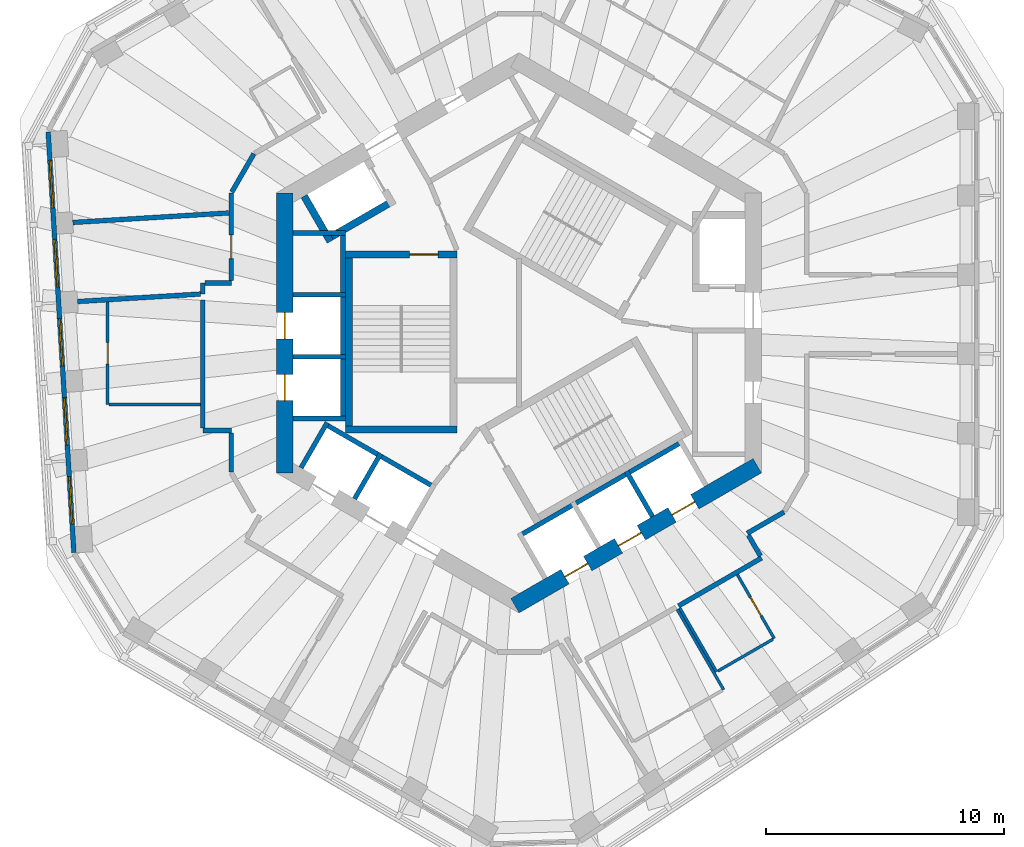
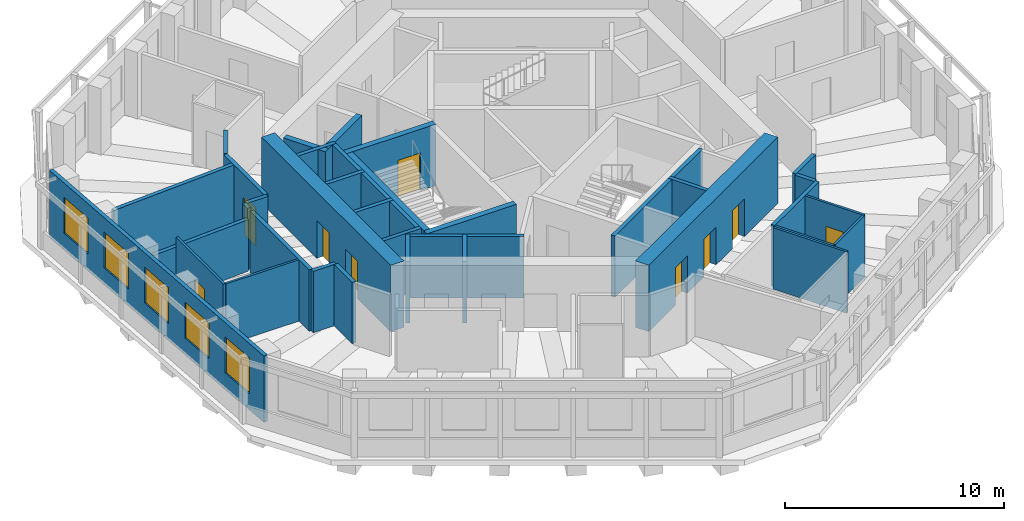
# One storey, part 5 of 11: 36 walls, 9 doors, 5 windows, 14 openings.
"""IFC4 building model written with IfcOpenShell, lengths in metres."""

from ifc_helpers import new_model, si_unit, direction, frame, frame_2d, origin, place, context, subcontext, project, spatial, rectangle, extrude, material, layer, layer_set, type_object, element, fill, save


model = new_model("IFC4")

# Units and contexts
model_context = context("Model", 3, precision=1e-05, world=origin(), true_north=direction((0.0, 1.0)))
body_context = subcontext(model_context, "Body", "Model", "MODEL_VIEW")
ifc_project = project(units=[si_unit("LENGTHUNIT", "METRE"), si_unit("AREAUNIT", "SQUARE_METRE"), si_unit("VOLUMEUNIT", "CUBIC_METRE"), si_unit("PLANEANGLEUNIT", "RADIAN"), si_unit("MASSUNIT", "GRAM", prefix="KILO")], contexts=[model_context])

# Site, building, storey
site_placement = place(None, origin())
site = spatial("IfcSite", under=ifc_project, at=site_placement, CompositionType="ELEMENT")
building_placement = place(site_placement, origin())
building = spatial("IfcBuilding", under=site, at=building_placement, Name="Vanh Sen Convention Tower", CompositionType="ELEMENT")
storey_placement = place(building_placement, frame((0.0, 0.0, 259.800048828125)))
storey = spatial("IfcBuildingStorey", under=building, at=storey_placement, Name="L64", CompositionType="ELEMENT", Elevation=259.800048828125)

# Wall, opening, door
ifc_material_1 = material(Name="Moisture-resistant gypsum board on steel studs", Category="steel")
ifc_layer_1 = layer(ifc_material_1, 0.1201171875)
ifc_layer_set_1 = layer_set([ifc_layer_1], Name="Moisture-resistant gypsum board on steel studs")
wall_type_1 = type_object("IfcWallType", Name="Bathroom partition 120", PredefinedType="PARTITIONING", material=ifc_layer_set_1)
wall_1_placement = place(storey_placement, frame((-17.301025390625, -3.0107421875, 0.0), z_axis=(0.0, 0.0, 1.0), x_axis=(0.0, 1.0, 0.0)))
wall_1 = element("IfcWall", 1, at=wall_1_placement, inside=storey, type_object=wall_type_1, Name="Bathroom partition 120", PredefinedType="PARTITIONING", context=body_context, shape_type="SweptSolid", body=[
    extrude(rectangle(XDim=4.300048828125, YDim=0.1201171875, at=frame_2d((2.14990234375, 0.0))), origin(), (0.0, 0.0, 1.0), 3.419921875),
])
opening_1_placement = place(wall_1_placement, frame((1.699951171875, 0.0, 0.0)))
opening_1 = element("IfcOpeningElement", 2, at=opening_1_placement, cuts=wall_1, Name="Opening D64111", PredefinedType="OPENING", context=body_context, shape_type="SweptSolid", body=[
    extrude(rectangle(XDim=0.89990234375, YDim=2.10009765625, at=frame_2d((0.449951171875, 1.050048828125))), frame((0.0, 0.070068359375, 0.0), z_axis=(0.0, -1.0, 0.0), x_axis=(1.0, 0.0, 0.0)), (0.0, 0.0, 1.0), 0.14013671875),
])
ifc_material_2 = material(Name="Laminate door in steel frame", Category="steel")
door_type_1 = type_object("IfcDoorType", Name="Room internal door 900", OperationType="SINGLE_SWING_LEFT", PredefinedType="DOOR", material=ifc_material_2)
door_1_placement = place(opening_1_placement, origin())
door_1 = element("IfcDoor", 3, at=door_1_placement, inside=storey, type_object=door_type_1, Name="Internal room door D64111", OperationType="SINGLE_SWING_LEFT", OverallHeight=2.10009765625, OverallWidth=0.89990234375, PredefinedType="DOOR", context=body_context, shape_type="SweptSolid", body=[
    extrude(rectangle(XDim=0.89990234375, YDim=2.10009765625, at=frame_2d((0.449951171875, 1.050048828125))), frame((0.0, 0.02490234375, 0.0), z_axis=(0.0, -1.0, 0.0), x_axis=(1.0, 0.0, 0.0)), (0.0, 0.0, 1.0), 0.050048828125),
])
fill(opening_1, door_1)

# Walls
wall_2_placement = place(storey_placement, frame((-13.40087890625, -3.0107421875, 0.0), z_axis=(0.0, 0.0, 1.0), x_axis=(-1.0, 0.0, 0.0)))
element("IfcWall", 4, at=wall_2_placement, inside=storey, type_object=wall_type_1, Name="Bathroom partition 120", PredefinedType="PARTITIONING", context=body_context, shape_type="SweptSolid", body=[
    extrude(rectangle(XDim=3.840087890625, YDim=0.1201171875, at=frame_2d((1.919921875, 0.0))), origin(), (0.0, 0.0, 1.0), 3.419921875),
])
wall_3_placement = place(storey_placement, frame((6.65625, -11.631103515625, 0.0), z_axis=(0.0, 0.0, 1.0), x_axis=(0.499997012787, -0.866027128446, 0.0)))
element("IfcWall", 5, at=wall_3_placement, inside=storey, type_object=wall_type_1, Name="Bathroom partition 120", PredefinedType="PARTITIONING", context=body_context, shape_type="SweptSolid", body=[
    extrude(rectangle(XDim=3.89990234375, YDim=0.1201171875, at=frame_2d((1.949951171875, 0.0))), origin(), (0.0, 0.0, 1.0), 3.419921875),
])
wall_4_placement = place(storey_placement, frame((8.310302734375, -14.255859375, 0.0), z_axis=(0.0, 0.0, 1.0), x_axis=(-0.49999285859, 0.86602952684, 0.0)))
element("IfcWall", 6, at=wall_4_placement, inside=storey, type_object=wall_type_1, Name="Bathroom partition 120", PredefinedType="PARTITIONING", context=body_context, shape_type="SweptSolid", body=[
    extrude(rectangle(XDim=3.10009765625, YDim=0.1201171875, at=frame_2d((1.550048828125, 0.0))), origin(), (0.0, 0.0, 1.0), 3.419921875),
])

# Wall, opening, door
wall_5_placement = place(storey_placement, frame((9.18505859375, -10.171142578125, 0.0), z_axis=(0.0, 0.0, 1.0), x_axis=(0.500026960575, -0.86600983753, 0.0)))
wall_5 = element("IfcWall", 7, at=wall_5_placement, inside=storey, type_object=wall_type_1, Name="Bathroom partition 120", PredefinedType="PARTITIONING", context=body_context, shape_type="SweptSolid", body=[
    extrude(rectangle(XDim=3.099853515625, YDim=0.1201171875, at=frame_2d((1.5498046875, 0.0))), origin(), (0.0, 0.0, 1.0), 3.419921875),
])
opening_2_placement = place(wall_5_placement, frame((1.10009765625, 0.0, 0.0)))
opening_2 = element("IfcOpeningElement", 8, at=opening_2_placement, cuts=wall_5, Name="Opening D64116", PredefinedType="OPENING", context=body_context, shape_type="SweptSolid", body=[
    extrude(rectangle(XDim=0.89990234375, YDim=2.10009765625, at=frame_2d((0.449951171875, 1.050048828125))), frame((0.0, 0.070068359375, 0.0), z_axis=(0.0, -1.0, 0.0), x_axis=(1.0, 0.0, 0.0)), (0.0, 0.0, 1.0), 0.14013671875),
])
door_2_placement = place(opening_2_placement, origin())
door_2 = element("IfcDoor", 9, at=door_2_placement, inside=storey, type_object=door_type_1, Name="Internal room door D64116", OperationType="SINGLE_SWING_LEFT", OverallHeight=2.10009765625, OverallWidth=0.89990234375, PredefinedType="DOOR", context=body_context, shape_type="SweptSolid", body=[
    extrude(rectangle(XDim=0.89990234375, YDim=2.10009765625, at=frame_2d((0.449951171875, 1.050048828125))), frame((0.0, 0.02490234375, 0.0), z_axis=(0.0, -1.0, 0.0), x_axis=(1.0, 0.0, 0.0)), (0.0, 0.0, 1.0), 0.050048828125),
])
fill(opening_2, door_2)

# Wall
wall_6_placement = place(storey_placement, frame((10.68310546875, -12.8857421875, 0.0), z_axis=(0.0, 0.0, 1.0), x_axis=(-0.86599746015, -0.500048396672, 0.0)))
element("IfcWall", 10, at=wall_6_placement, inside=storey, type_object=wall_type_1, Name="Bathroom partition 120", PredefinedType="PARTITIONING", context=body_context, shape_type="SweptSolid", body=[
    extrude(rectangle(XDim=2.679931640625, YDim=0.1201171875, at=frame_2d((1.33984375, 0.0))), origin(), (0.0, 0.0, 1.0), 3.419921875),
])

# Wall, openings, doors
ifc_material_3 = material(Name="Concrete C60/75", Category="concrete")
ifc_layer_2 = layer(ifc_material_3, 0.699951171875)
ifc_layer_set_2 = layer_set([ifc_layer_2], Name="Concrete C60/75")
wall_type_2 = type_object("IfcWallType", Name="Core outer wall 700 C60/75", PredefinedType="SHEAR", material=ifc_layer_set_2)
wall_7_placement = place(storey_placement, frame((-9.85009765625, 5.888916015625, 0.0), z_axis=(0.0, 0.0, 1.0), x_axis=(0.0, -1.0, 0.0)))
wall_7 = element("IfcWall", 11, at=wall_7_placement, inside=storey, type_object=wall_type_2, Name="Core wall face W L64", PredefinedType="SHEAR", context=body_context, shape_type="SweptSolid", body=[
    extrude(rectangle(XDim=11.77783203125, YDim=0.699951171875, at=frame_2d((5.888916015625, 0.0))), origin(), (0.0, 0.0, 1.0), 3.699951171875),
])
opening_3_placement = place(wall_7_placement, frame((5.0390625, 0.0, 0.0)))
opening_3 = element("IfcOpeningElement", 12, at=opening_3_placement, cuts=wall_7, Name="Opening LD-HR1", PredefinedType="OPENING", context=body_context, shape_type="SweptSolid", body=[
    extrude(rectangle(XDim=1.10009765625, YDim=2.10009765625, at=frame_2d((0.550048828125, 1.050048828125))), frame((0.0, 0.35986328125, 0.0), z_axis=(0.0, -1.0, 0.0), x_axis=(1.0, 0.0, 0.0)), (0.0, 0.0, 1.0), 0.719970703125),
])
opening_4_placement = place(wall_7_placement, frame((7.638916015625, 0.0, 0.0)))
opening_4 = element("IfcOpeningElement", 13, at=opening_4_placement, cuts=wall_7, Name="Opening LD-HR2", PredefinedType="OPENING", context=body_context, shape_type="SweptSolid", body=[
    extrude(rectangle(XDim=1.10009765625, YDim=2.10009765625, at=frame_2d((0.550048828125, 1.050048828125))), frame((0.0, 0.35986328125, 0.0), z_axis=(0.0, -1.0, 0.0), x_axis=(1.0, 0.0, 0.0)), (0.0, 0.0, 1.0), 0.719970703125),
])
ifc_material_4 = material(Name="Stainless steel", Category="steel")
door_type_2 = type_object("IfcDoorType", Name="Lift landing door 1100", OperationType="DOUBLE_DOOR_SLIDING", PredefinedType="DOOR", material=ifc_material_4)
door_3_placement = place(opening_3_placement, origin())
door_3 = element("IfcDoor", 14, at=door_3_placement, inside=storey, type_object=door_type_2, Name="Lift HR1 landing door LD-HR1", OperationType="DOUBLE_DOOR_SLIDING", OverallHeight=2.10009765625, OverallWidth=1.10009765625, PredefinedType="DOOR", context=body_context, shape_type="SweptSolid", body=[
    extrude(rectangle(XDim=1.10009765625, YDim=2.10009765625, at=frame_2d((0.550048828125, 1.050048828125))), frame((0.0, 0.02490234375, 0.0), z_axis=(0.0, -1.0, 0.0), x_axis=(1.0, 0.0, 0.0)), (0.0, 0.0, 1.0), 0.050048828125),
])
fill(opening_3, door_3)
door_4_placement = place(opening_4_placement, origin())
door_4 = element("IfcDoor", 15, at=door_4_placement, inside=storey, type_object=door_type_2, Name="Lift HR2 landing door LD-HR2", OperationType="DOUBLE_DOOR_SLIDING", OverallHeight=2.10009765625, OverallWidth=1.10009765625, PredefinedType="DOOR", context=body_context, shape_type="SweptSolid", body=[
    extrude(rectangle(XDim=1.10009765625, YDim=2.10009765625, at=frame_2d((0.550048828125, 1.050048828125))), frame((0.0, 0.02490234375, 0.0), z_axis=(0.0, -1.0, 0.0), x_axis=(1.0, 0.0, 0.0)), (0.0, 0.0, 1.0), 0.050048828125),
])
fill(opening_4, door_4)

wall_8_placement = place(storey_placement, frame((-0.175048828125, -11.474853515625, 0.0), z_axis=(0.0, 0.0, 1.0), x_axis=(0.866026453023, 0.499998182661, 0.0)))
wall_8 = element("IfcWall", 16, at=wall_8_placement, inside=storey, type_object=wall_type_2, Name="Core wall face SE L64", PredefinedType="SHEAR", context=body_context, shape_type="SweptSolid", body=[
    extrude(rectangle(XDim=11.77783203125, YDim=0.699951171875, at=frame_2d((5.888916015625, 0.0))), origin(), (0.0, 0.0, 1.0), 3.699951171875),
])
opening_5_placement = place(wall_8_placement, frame((2.43896484375, 0.0, 0.0)))
opening_5 = element("IfcOpeningElement", 17, at=opening_5_placement, cuts=wall_8, Name="Opening LD-HR5", PredefinedType="OPENING", context=body_context, shape_type="SweptSolid", body=[
    extrude(rectangle(XDim=1.10009765625, YDim=2.10009765625, at=frame_2d((0.550048828125, 1.050048828125))), frame((0.0, 0.35986328125, 0.0), z_axis=(0.0, -1.0, 0.0), x_axis=(1.0, 0.0, 0.0)), (0.0, 0.0, 1.0), 0.719970703125),
])
opening_6_placement = place(wall_8_placement, frame((5.0390625, 0.0, 0.0)))
opening_6 = element("IfcOpeningElement", 18, at=opening_6_placement, cuts=wall_8, Name="Opening LD-HR6", PredefinedType="OPENING", context=body_context, shape_type="SweptSolid", body=[
    extrude(rectangle(XDim=1.10009765625, YDim=2.10009765625, at=frame_2d((0.550048828125, 1.050048828125))), frame((0.0, 0.35986328125, 0.0), z_axis=(0.0, -1.0, 0.0), x_axis=(1.0, 0.0, 0.0)), (0.0, 0.0, 1.0), 0.719970703125),
])
opening_7_placement = place(wall_8_placement, frame((7.638916015625, 0.0, 0.0)))
opening_7 = element("IfcOpeningElement", 19, at=opening_7_placement, cuts=wall_8, Name="Opening LD-SV1", PredefinedType="OPENING", context=body_context, shape_type="SweptSolid", body=[
    extrude(rectangle(XDim=1.10009765625, YDim=2.10009765625, at=frame_2d((0.550048828125, 1.050048828125))), frame((0.0, 0.35986328125, 0.0), z_axis=(0.0, -1.0, 0.0), x_axis=(1.0, 0.0, 0.0)), (0.0, 0.0, 1.0), 0.719970703125),
])
door_5_placement = place(opening_5_placement, origin())
door_5 = element("IfcDoor", 20, at=door_5_placement, inside=storey, type_object=door_type_2, Name="Lift HR5 landing door LD-HR5", OperationType="DOUBLE_DOOR_SLIDING", OverallHeight=2.10009765625, OverallWidth=1.10009765625, PredefinedType="DOOR", context=body_context, shape_type="SweptSolid", body=[
    extrude(rectangle(XDim=1.10009765625, YDim=2.10009765625, at=frame_2d((0.550048828125, 1.050048828125))), frame((0.0, 0.02490234375, 0.0), z_axis=(0.0, -1.0, 0.0), x_axis=(1.0, 0.0, 0.0)), (0.0, 0.0, 1.0), 0.050048828125),
])
fill(opening_5, door_5)
door_6_placement = place(opening_6_placement, origin())
door_6 = element("IfcDoor", 21, at=door_6_placement, inside=storey, type_object=door_type_2, Name="Lift HR6 landing door LD-HR6", OperationType="DOUBLE_DOOR_SLIDING", OverallHeight=2.10009765625, OverallWidth=1.10009765625, PredefinedType="DOOR", context=body_context, shape_type="SweptSolid", body=[
    extrude(rectangle(XDim=1.10009765625, YDim=2.10009765625, at=frame_2d((0.550048828125, 1.050048828125))), frame((0.0, 0.02490234375, 0.0), z_axis=(0.0, -1.0, 0.0), x_axis=(1.0, 0.0, 0.0)), (0.0, 0.0, 1.0), 0.050048828125),
])
fill(opening_6, door_6)
door_7_placement = place(opening_7_placement, origin())
door_7 = element("IfcDoor", 22, at=door_7_placement, inside=storey, type_object=door_type_2, Name="Lift SV1 landing door LD-SV1", OperationType="DOUBLE_DOOR_SLIDING", OverallHeight=2.10009765625, OverallWidth=1.10009765625, PredefinedType="DOOR", context=body_context, shape_type="SweptSolid", body=[
    extrude(rectangle(XDim=1.10009765625, YDim=2.10009765625, at=frame_2d((0.550048828125, 1.050048828125))), frame((0.0, 0.02490234375, 0.0), z_axis=(0.0, -1.0, 0.0), x_axis=(1.0, 0.0, 0.0)), (0.0, 0.0, 1.0), 0.050048828125),
])
fill(opening_7, door_7)

# Walls
ifc_material_5 = material(Name="Gypsum board on steel studs with mineral wool", Category="steel")
ifc_layer_3 = layer(ifc_material_5, 0.199951171875)
ifc_layer_set_3 = layer_set([ifc_layer_3], Name="Gypsum board on steel studs with mineral wool")
wall_type_3 = type_object("IfcWallType", Name="Corridor partition wall 200", PredefinedType="PARTITIONING", material=ifc_layer_set_3)
wall_9_placement = place(storey_placement, frame((-13.301025390625, -4.10107421875, 0.0), z_axis=(0.0, 0.0, 1.0), x_axis=(1.0, 0.0, 0.0)))
element("IfcWall", 23, at=wall_9_placement, inside=storey, type_object=wall_type_3, Name="Corridor partition wall 200", PredefinedType="PARTITIONING", context=body_context, shape_type="SweptSolid", body=[
    extrude(rectangle(XDim=1.200927734375, YDim=0.199951171875, at=frame_2d((0.6005859375, 0.0))), origin(), (0.0, 0.0, 1.0), 3.419921875),
])
wall_10_placement = place(storey_placement, frame((-13.301025390625, 1.38916015625, 0.0), z_axis=(0.0, 0.0, 1.0), x_axis=(0.0, -1.0, 0.0)))
element("IfcWall", 24, at=wall_10_placement, inside=storey, type_object=wall_type_3, Name="Corridor partition wall 200", PredefinedType="PARTITIONING", context=body_context, shape_type="SweptSolid", body=[
    extrude(rectangle(XDim=5.39013671875, YDim=0.199951171875, at=frame_2d((2.695068359375, 0.0))), origin(), (0.0, 0.0, 1.0), 3.419921875),
])
wall_11_placement = place(storey_placement, frame((-13.301025390625, 2.10107421875, 0.0), z_axis=(0.0, 0.0, 1.0), x_axis=(0.0, -1.0, 0.0)))
element("IfcWall", 25, at=wall_11_placement, inside=storey, type_object=wall_type_3, Name="Corridor partition wall 200", PredefinedType="PARTITIONING", context=body_context, shape_type="SweptSolid", body=[
    extrude(rectangle(XDim=0.4619140625, YDim=0.199951171875, at=frame_2d((0.23095703125, 0.0))), origin(), (0.0, 0.0, 1.0), 3.419921875),
])
wall_12_placement = place(storey_placement, frame((-12.10009765625, -4.200927734375, 0.0), z_axis=(0.0, 0.0, 1.0), x_axis=(0.0, -1.0, 0.0)))
element("IfcWall", 26, at=wall_12_placement, inside=storey, type_object=wall_type_3, Name="Corridor partition wall 200", PredefinedType="PARTITIONING", context=body_context, shape_type="SweptSolid", body=[
    extrude(rectangle(XDim=1.648193359375, YDim=0.199951171875, at=frame_2d((0.82421875, 0.0))), origin(), (0.0, 0.0, 1.0), 3.419921875),
])
wall_13_placement = place(storey_placement, frame((-12.10009765625, 2.10107421875, 0.0), z_axis=(0.0, 0.0, 1.0), x_axis=(-1.0, 0.0, 0.0)))
element("IfcWall", 27, at=wall_13_placement, inside=storey, type_object=wall_type_3, Name="Corridor partition wall 200", PredefinedType="PARTITIONING", context=body_context, shape_type="SweptSolid", body=[
    extrude(rectangle(XDim=1.100830078125, YDim=0.199951171875, at=frame_2d((0.55029296875, 0.0))), origin(), (0.0, 0.0, 1.0), 3.419921875),
])

# Wall, opening, door
wall_14_placement = place(storey_placement, frame((-12.10009765625, 5.888916015625, 0.0), z_axis=(0.0, 0.0, 1.0), x_axis=(0.0, -1.0, 0.0)))
wall_14 = element("IfcWall", 28, at=wall_14_placement, inside=storey, type_object=wall_type_3, Name="Corridor partition wall 200", PredefinedType="PARTITIONING", context=body_context, shape_type="SweptSolid", body=[
    extrude(rectangle(XDim=3.68798828125, YDim=0.199951171875, at=frame_2d((1.843994140625, 0.0))), origin(), (0.0, 0.0, 1.0), 3.419921875),
])
opening_8_placement = place(wall_14_placement, frame((1.76318359375, 0.0, 0.0)))
opening_8 = element("IfcOpeningElement", 29, at=opening_8_placement, cuts=wall_14, Name="Opening D64109", PredefinedType="OPENING", context=body_context, shape_type="SweptSolid", body=[
    extrude(rectangle(XDim=1.0, YDim=2.10009765625, at=frame_2d((0.5, 1.050048828125))), frame((0.0, 0.10986328125, 0.0), z_axis=(0.0, -1.0, 0.0), x_axis=(1.0, 0.0, 0.0)), (0.0, 0.0, 1.0), 0.219970703125),
])
ifc_material_6 = material(Name="Glazed fire door in steel frame", Category="steel")
door_type_3 = type_object("IfcDoorType", Name="Tenant entrance door 1000", OperationType="SINGLE_SWING_LEFT", PredefinedType="DOOR", material=ifc_material_6)
door_8_placement = place(opening_8_placement, origin())
door_8 = element("IfcDoor", 30, at=door_8_placement, inside=storey, type_object=door_type_3, Name="Tenant suite entrance door D64109", OperationType="SINGLE_SWING_LEFT", OverallHeight=2.10009765625, OverallWidth=1.0, PredefinedType="DOOR", context=body_context, shape_type="SweptSolid", body=[
    extrude(rectangle(XDim=1.0, YDim=2.10009765625, at=frame_2d((0.5, 1.050048828125))), frame((0.0, 0.02490234375, 0.0), z_axis=(0.0, -1.0, 0.0), x_axis=(1.0, 0.0, 0.0)), (0.0, 0.0, 1.0), 0.050048828125),
])
fill(opening_8, door_8)

# Walls
wall_15_placement = place(storey_placement, frame((-11.14990234375, 7.534423828125, 0.0), z_axis=(0.0, 0.0, 1.0), x_axis=(-0.500063286585, -0.865988862174, 0.0)))
element("IfcWall", 31, at=wall_15_placement, inside=storey, type_object=wall_type_3, Name="Corridor partition wall 200", PredefinedType="PARTITIONING", context=body_context, shape_type="SweptSolid", body=[
    extrude(rectangle(XDim=1.860107421875, YDim=0.199951171875, at=frame_2d((0.93017578125, 0.0))), origin(), (0.0, 0.0, 1.0), 3.419921875),
])
wall_16_placement = place(storey_placement, frame((6.710205078125, -11.484619140625, 0.0), z_axis=(0.0, 0.0, 1.0), x_axis=(0.866021232452, 0.500007224889, 0.0)))
element("IfcWall", 32, at=wall_16_placement, inside=storey, type_object=wall_type_3, Name="Corridor partition wall 200", PredefinedType="PARTITIONING", context=body_context, shape_type="SweptSolid", body=[
    extrude(rectangle(XDim=4.0322265625, YDim=0.199951171875, at=frame_2d((2.01611328125, 0.0))), origin(), (0.0, 0.0, 1.0), 3.419921875),
])
wall_17_placement = place(storey_placement, frame((9.6015625, -8.428466796875, 0.0), z_axis=(0.0, 0.0, 1.0), x_axis=(0.865999114786, 0.500045531117, 0.0)))
element("IfcWall", 33, at=wall_17_placement, inside=storey, type_object=wall_type_3, Name="Corridor partition wall 200", PredefinedType="PARTITIONING", context=body_context, shape_type="SweptSolid", body=[
    extrude(rectangle(XDim=1.787841796875, YDim=0.199951171875, at=frame_2d((0.89404296875, 0.0))), origin(), (0.0, 0.0, 1.0), 3.419921875),
])
wall_18_placement = place(storey_placement, frame((10.152099609375, -9.3818359375, 0.0), z_axis=(0.0, 0.0, 1.0), x_axis=(-0.499968756647, 0.866043441391, 0.0)))
element("IfcWall", 34, at=wall_18_placement, inside=storey, type_object=wall_type_3, Name="Corridor partition wall 200", PredefinedType="PARTITIONING", context=body_context, shape_type="SweptSolid", body=[
    extrude(rectangle(XDim=1.0009765625, YDim=0.199951171875, at=frame_2d((0.50048828125, 0.0))), origin(), (0.0, 0.0, 1.0), 3.419921875),
])

# Wall, openings, windows
ifc_material_7 = material(Name="Insulated lightweight infill wall")
ifc_layer_4 = layer(ifc_material_7, 0.199951171875)
ifc_layer_set_4 = layer_set([ifc_layer_4], Name="Insulated lightweight infill wall")
wall_type_4 = type_object("IfcWallType", Name="External wall 200", PredefinedType="STANDARD", material=ifc_layer_set_4)
wall_19_placement = place(storey_placement, frame((-19.802978515625, 8.4541015625, 0.0), z_axis=(0.0, 0.0, 1.0), x_axis=(0.061036717565, -0.998135521414, 0.0)))
wall_19 = element("IfcWall", 35, at=wall_19_placement, inside=storey, type_object=wall_type_4, Name="External wall W L64", PredefinedType="STANDARD", context=body_context, shape_type="SweptSolid", body=[
    extrude(rectangle(XDim=17.7314453125, YDim=0.199951171875, at=frame_2d((8.86572265625, 0.0))), origin(), (0.0, 0.0, 1.0), 3.699951171875),
])
opening_9_placement = place(wall_19_placement, frame((1.20166015625, 0.0, 0.89990234375)))
opening_9 = element("IfcOpeningElement", 36, at=opening_9_placement, cuts=wall_19, Name="Opening WO5-W1", PredefinedType="OPENING", context=body_context, shape_type="SweptSolid", body=[
    extrude(rectangle(XDim=2.0, YDim=2.0, at=frame_2d((1.0, 1.0))), frame((0.0, 0.10986328125, 0.0), z_axis=(0.0, -1.0, 0.0), x_axis=(1.0, 0.0, 0.0)), (0.0, 0.0, 1.0), 0.219970703125),
])
opening_10_placement = place(wall_19_placement, frame((4.533203125, 0.0, 0.89990234375)))
opening_10 = element("IfcOpeningElement", 37, at=opening_10_placement, cuts=wall_19, Name="Opening WO5-W2", PredefinedType="OPENING", context=body_context, shape_type="SweptSolid", body=[
    extrude(rectangle(XDim=2.0, YDim=2.0, at=frame_2d((1.0, 1.0))), frame((0.0, 0.10986328125, 0.0), z_axis=(0.0, -1.0, 0.0), x_axis=(1.0, 0.0, 0.0)), (0.0, 0.0, 1.0), 0.219970703125),
])
opening_11_placement = place(wall_19_placement, frame((7.864990234375, 0.0, 0.89990234375)))
opening_11 = element("IfcOpeningElement", 38, at=opening_11_placement, cuts=wall_19, Name="Opening WO5-W3", PredefinedType="OPENING", context=body_context, shape_type="SweptSolid", body=[
    extrude(rectangle(XDim=2.0, YDim=2.0, at=frame_2d((1.0, 1.0))), frame((0.0, 0.10986328125, 0.0), z_axis=(0.0, -1.0, 0.0), x_axis=(1.0, 0.0, 0.0)), (0.0, 0.0, 1.0), 0.219970703125),
])
opening_12_placement = place(wall_19_placement, frame((11.196533203125, 0.0, 0.89990234375)))
opening_12 = element("IfcOpeningElement", 39, at=opening_12_placement, cuts=wall_19, Name="Opening WO5-W4", PredefinedType="OPENING", context=body_context, shape_type="SweptSolid", body=[
    extrude(rectangle(XDim=2.0, YDim=2.0, at=frame_2d((1.0, 1.0))), frame((0.0, 0.10986328125, 0.0), z_axis=(0.0, -1.0, 0.0), x_axis=(1.0, 0.0, 0.0)), (0.0, 0.0, 1.0), 0.219970703125),
])
opening_13_placement = place(wall_19_placement, frame((14.5283203125, 0.0, 0.89990234375)))
opening_13 = element("IfcOpeningElement", 40, at=opening_13_placement, cuts=wall_19, Name="Opening WO5-W5", PredefinedType="OPENING", context=body_context, shape_type="SweptSolid", body=[
    extrude(rectangle(XDim=2.0, YDim=2.0, at=frame_2d((1.0, 1.0))), frame((0.0, 0.10986328125, 0.0), z_axis=(0.0, -1.0, 0.0), x_axis=(1.0, 0.0, 0.0)), (0.0, 0.0, 1.0), 0.219970703125),
])
ifc_material_8 = material(Name="Aluminium frame with clear low-emissivity glass", Category="aluminium")
window_type = type_object("IfcWindowType", Name="Office window 2000 x 2000", PartitioningType="SINGLE_PANEL", PredefinedType="WINDOW", material=ifc_material_8)
window_1_placement = place(opening_9_placement, origin())
window_1 = element("IfcWindow", 41, at=window_1_placement, inside=storey, type_object=window_type, Name="Window WO5-W1", OverallHeight=2.0, OverallWidth=2.0, PartitioningType="SINGLE_PANEL", PredefinedType="WINDOW", context=body_context, shape_type="SweptSolid", body=[
    extrude(rectangle(XDim=2.0, YDim=2.0, at=frame_2d((1.0, 1.0))), frame((0.0, 0.030029296875, 0.0), z_axis=(0.0, -1.0, 0.0), x_axis=(1.0, 0.0, 0.0)), (0.0, 0.0, 1.0), 0.06005859375),
])
fill(opening_9, window_1)
window_2_placement = place(opening_10_placement, origin())
window_2 = element("IfcWindow", 42, at=window_2_placement, inside=storey, type_object=window_type, Name="Window WO5-W2", OverallHeight=2.0, OverallWidth=2.0, PartitioningType="SINGLE_PANEL", PredefinedType="WINDOW", context=body_context, shape_type="SweptSolid", body=[
    extrude(rectangle(XDim=2.0, YDim=2.0, at=frame_2d((1.0, 1.0))), frame((0.0, 0.030029296875, 0.0), z_axis=(0.0, -1.0, 0.0), x_axis=(1.0, 0.0, 0.0)), (0.0, 0.0, 1.0), 0.06005859375),
])
fill(opening_10, window_2)
window_3_placement = place(opening_11_placement, origin())
window_3 = element("IfcWindow", 43, at=window_3_placement, inside=storey, type_object=window_type, Name="Window WO5-W3", OverallHeight=2.0, OverallWidth=2.0, PartitioningType="SINGLE_PANEL", PredefinedType="WINDOW", context=body_context, shape_type="SweptSolid", body=[
    extrude(rectangle(XDim=2.0, YDim=2.0, at=frame_2d((1.0, 1.0))), frame((0.0, 0.030029296875, 0.0), z_axis=(0.0, -1.0, 0.0), x_axis=(1.0, 0.0, 0.0)), (0.0, 0.0, 1.0), 0.06005859375),
])
fill(opening_11, window_3)
window_4_placement = place(opening_12_placement, origin())
window_4 = element("IfcWindow", 44, at=window_4_placement, inside=storey, type_object=window_type, Name="Window WO5-W4", OverallHeight=2.0, OverallWidth=2.0, PartitioningType="SINGLE_PANEL", PredefinedType="WINDOW", context=body_context, shape_type="SweptSolid", body=[
    extrude(rectangle(XDim=2.0, YDim=2.0, at=frame_2d((1.0, 1.0))), frame((0.0, 0.030029296875, 0.0), z_axis=(0.0, -1.0, 0.0), x_axis=(1.0, 0.0, 0.0)), (0.0, 0.0, 1.0), 0.06005859375),
])
fill(opening_12, window_4)
window_5_placement = place(opening_13_placement, origin())
window_5 = element("IfcWindow", 45, at=window_5_placement, inside=storey, type_object=window_type, Name="Window WO5-W5", OverallHeight=2.0, OverallWidth=2.0, PartitioningType="SINGLE_PANEL", PredefinedType="WINDOW", context=body_context, shape_type="SweptSolid", body=[
    extrude(rectangle(XDim=2.0, YDim=2.0, at=frame_2d((1.0, 1.0))), frame((0.0, 0.030029296875, 0.0), z_axis=(0.0, -1.0, 0.0), x_axis=(1.0, 0.0, 0.0)), (0.0, 0.0, 1.0), 0.06005859375),
])
fill(opening_13, window_5)

# Walls
ifc_layer_5 = layer(ifc_material_3, 0.300048828125)
ifc_layer_set_5 = layer_set([ifc_layer_5], Name="Concrete C60/75")
wall_type_5 = type_object("IfcWallType", Name="Fire-fighting lift shaft wall 300", PredefinedType="SHEAR", material=ifc_layer_set_5)
wall_20_placement = place(storey_placement, frame((-5.240478515625, 5.576904296875, 0.0), z_axis=(0.0, 0.0, 1.0), x_axis=(-0.866014461049, -0.500018952895, 0.0)))
element("IfcWall", 46, at=wall_20_placement, inside=storey, type_object=wall_type_5, Name="Fire-fighting lift shaft wall L64", PredefinedType="SHEAR", context=body_context, shape_type="SweptSolid", body=[
    extrude(rectangle(XDim=3.349853515625, YDim=0.300048828125, at=frame_2d((1.6748046875, 0.0))), origin(), (0.0, 0.0, 1.0), 3.419921875),
])
wall_21_placement = place(storey_placement, frame((-7.936767578125, 3.846923828125, 0.0), z_axis=(0.0, 0.0, 1.0), x_axis=(-0.50002983664, 0.866008176907, 0.0)))
element("IfcWall", 47, at=wall_21_placement, inside=storey, type_object=wall_type_5, Name="Fire-fighting lift shaft wall L64", PredefinedType="SHEAR", context=body_context, shape_type="SweptSolid", body=[
    extrude(rectangle(XDim=2.199951171875, YDim=0.300048828125, at=frame_2d((1.10009765625, 0.0))), origin(), (0.0, 0.0, 1.0), 3.419921875),
])
ifc_material_9 = material(Name="Concrete C40/50", Category="concrete")
ifc_layer_6 = layer(ifc_material_9, 0.199951171875)
ifc_layer_set_6 = layer_set([ifc_layer_6], Name="Concrete C40/50")
wall_type_6 = type_object("IfcWallType", Name="Lift shaft wall 200", PredefinedType="PARTITIONING", material=ifc_layer_set_6)
wall_22_placement = place(storey_placement, frame((-7.39990234375, 4.300048828125, 0.0), z_axis=(0.0, 0.0, 1.0), x_axis=(0.0, -1.0, 0.0)))
element("IfcWall", 48, at=wall_22_placement, inside=storey, type_object=wall_type_6, Name="Lift shaft wall L64", PredefinedType="PARTITIONING", context=body_context, shape_type="SweptSolid", body=[
    extrude(rectangle(XDim=8.0, YDim=0.199951171875, at=frame_2d((4.0, 0.0))), origin(), (0.0, 0.0, 1.0), 3.419921875),
])
for number, where, z_axis, x_axis, name in (
    (49, (-7.300048828125, 4.199951171875, 0.0), (0.0, 0.0, 1.0), (-1.0, 0.0, 0.0), "Lift shaft wall L64"),
    (50, (-7.300048828125, 1.60009765625, 0.0), (0.0, 0.0, 1.0), (-1.0, 0.0, 0.0), "Lift shaft wall L64"),
    (51, (-7.300048828125, -1.0, 0.0), (0.0, 0.0, 1.0), (-1.0, 0.0, 0.0), "Lift shaft wall L64"),
    (52, (-7.300048828125, -3.60009765625, 0.0), (0.0, 0.0, 1.0), (-1.0, 0.0, 0.0), "Lift shaft wall L64"),
):
    element("IfcWall", number, at=place(storey_placement, frame(where, z_axis=z_axis, x_axis=x_axis)), inside=storey, type_object=wall_type_6, Name=name, PredefinedType="PARTITIONING", context=body_context, shape_type="SweptSolid", body=[
        extrude(rectangle(XDim=2.199951171875, YDim=0.199951171875, at=frame_2d((1.10009765625, 0.0))), origin(), (0.0, 0.0, 1.0), 3.419921875),
    ])
wall_23_placement = place(storey_placement, frame((-8.203369140625, -3.80859375, 0.0), z_axis=(0.0, 0.0, 1.0), x_axis=(0.866028230842, -0.499995103361, 0.0)))
element("IfcWall", 53, at=wall_23_placement, inside=storey, type_object=wall_type_6, Name="Lift shaft wall L64", PredefinedType="PARTITIONING", context=body_context, shape_type="SweptSolid", body=[
    extrude(rectangle(XDim=5.39990234375, YDim=0.199951171875, at=frame_2d((2.699951171875, 0.0))), origin(), (0.0, 0.0, 1.0), 3.419921875),
])
for number, where, z_axis, x_axis, name in (
    (54, (-8.066650390625, -3.77197265625, 0.0), (0.0, 0.0, 1.0), (-0.50002983664, -0.866008176907, 0.0), "Lift shaft wall L64"),
    (55, (-5.815185546875, -5.072021484375, 0.0), (0.0, 0.0, 1.0), (-0.499946605688, -0.86605622881, 0.0), "Lift shaft wall L64"),
):
    element("IfcWall", number, at=place(storey_placement, frame(where, z_axis=z_axis, x_axis=x_axis)), inside=storey, type_object=wall_type_6, Name=name, PredefinedType="PARTITIONING", context=body_context, shape_type="SweptSolid", body=[
        extrude(rectangle(XDim=2.199951171875, YDim=0.199951171875, at=frame_2d((1.10009765625, 0.0))), origin(), (0.0, 0.0, 1.0), 3.419921875),
    ])
wall_24_placement = place(storey_placement, frame((-0.02392578125, -8.55859375, 0.0), z_axis=(0.0, 0.0, 1.0), x_axis=(0.866026010844, 0.49999894854, 0.0)))
element("IfcWall", 56, at=wall_24_placement, inside=storey, type_object=wall_type_6, Name="Lift shaft wall L64", PredefinedType="PARTITIONING", context=body_context, shape_type="SweptSolid", body=[
    extrude(rectangle(XDim=8.0, YDim=0.199951171875, at=frame_2d((4.0, 0.0))), origin(), (0.0, 0.0, 1.0), 3.419921875),
])
wall_25_placement = place(storey_placement, frame((4.51611328125, -5.822021484375, 0.0), z_axis=(0.0, 0.0, 1.0), x_axis=(0.499946605688, -0.86605622881, 0.0)))
element("IfcWall", 57, at=wall_25_placement, inside=storey, type_object=wall_type_6, Name="Lift shaft wall L64", PredefinedType="PARTITIONING", context=body_context, shape_type="SweptSolid", body=[
    extrude(rectangle(XDim=2.199951171875, YDim=0.199951171875, at=frame_2d((1.10009765625, 0.0))), origin(), (0.0, 0.0, 1.0), 3.419921875),
])

# Wall, opening, door
ifc_layer_7 = layer(ifc_material_3, 0.300048828125)
ifc_layer_set_7 = layer_set([ifc_layer_7], Name="Concrete C60/75")
wall_type_7 = type_object("IfcWallType", Name="Stair wall 300", PredefinedType="SHEAR", material=ifc_layer_set_7)
wall_26_placement = place(storey_placement, frame((-2.60009765625, 3.300048828125, 0.0), z_axis=(0.0, 0.0, 1.0), x_axis=(-1.0, 0.0, 0.0)))
wall_26 = element("IfcWall", 58, at=wall_26_placement, inside=storey, type_object=wall_type_7, Name="Stair wall L64", PredefinedType="SHEAR", context=body_context, shape_type="SweptSolid", body=[
    extrude(rectangle(XDim=4.699951171875, YDim=0.300048828125, at=frame_2d((2.35009765625, 0.0))), origin(), (0.0, 0.0, 1.0), 3.419921875),
])
opening_14_placement = place(wall_26_placement, frame((0.800048828125, 0.0, 0.0)))
opening_14 = element("IfcOpeningElement", 59, at=opening_14_placement, cuts=wall_26, Name="Opening D64005", PredefinedType="OPENING", context=body_context, shape_type="SweptSolid", body=[
    extrude(rectangle(XDim=1.199951171875, YDim=2.10009765625, at=frame_2d((0.60009765625, 1.050048828125))), frame((0.0, 0.159912109375, 0.0), z_axis=(0.0, -1.0, 0.0), x_axis=(1.0, 0.0, 0.0)), (0.0, 0.0, 1.0), 0.320068359375),
])
ifc_material_10 = material(Name="Steel S355", Category="steel")
door_type_4 = type_object("IfcDoorType", Name="Stair door 1200", OperationType="SINGLE_SWING_RIGHT", PredefinedType="DOOR", material=ifc_material_10)
door_9_placement = place(opening_14_placement, origin())
door_9 = element("IfcDoor", 60, at=door_9_placement, inside=storey, type_object=door_type_4, Name="Stair ST2 door D64005", OperationType="SINGLE_SWING_RIGHT", OverallHeight=2.10009765625, OverallWidth=1.199951171875, PredefinedType="DOOR", context=body_context, shape_type="SweptSolid", body=[
    extrude(rectangle(XDim=1.199951171875, YDim=2.10009765625, at=frame_2d((0.60009765625, 1.050048828125))), frame((0.0, 0.02490234375, 0.0), z_axis=(0.0, -1.0, 0.0), x_axis=(1.0, 0.0, 0.0)), (0.0, 0.0, 1.0), 0.050048828125),
])
fill(opening_14, door_9)

# Walls
wall_27_placement = place(storey_placement, frame((-2.60009765625, -4.06005859375, 0.0), z_axis=(0.0, 0.0, 1.0), x_axis=(-1.0, 0.0, 0.0)))
element("IfcWall", 61, at=wall_27_placement, inside=storey, type_object=wall_type_7, Name="Stair wall L64", PredefinedType="SHEAR", context=body_context, shape_type="SweptSolid", body=[
    extrude(rectangle(XDim=4.699951171875, YDim=0.300048828125, at=frame_2d((2.35009765625, 0.0))), origin(), (0.0, 0.0, 1.0), 3.419921875),
])
wall_28_placement = place(storey_placement, frame((-7.14990234375, 3.14990234375, 0.0), z_axis=(0.0, 0.0, 1.0), x_axis=(0.0, -1.0, 0.0)))
element("IfcWall", 62, at=wall_28_placement, inside=storey, type_object=wall_type_7, Name="Stair wall L64", PredefinedType="SHEAR", context=body_context, shape_type="SweptSolid", body=[
    extrude(rectangle(XDim=7.059814453125, YDim=0.300048828125, at=frame_2d((3.52978515625, 0.0))), origin(), (0.0, 0.0, 1.0), 3.419921875),
])
ifc_layer_8 = layer(ifc_material_5, 0.199951171875)
ifc_layer_set_8 = layer_set([ifc_layer_8], Name="Gypsum board on steel studs with mineral wool")
wall_type_8 = type_object("IfcWallType", Name="Tenant suite wall 200", PredefinedType="PARTITIONING", material=ifc_layer_set_8)
wall_29_placement = place(storey_placement, frame((-18.768310546875, 4.642822265625, 0.0), z_axis=(0.0, 0.0, 1.0), x_axis=(0.99813496285, 0.0610458511, 0.0)))
element("IfcWall", 63, at=wall_29_placement, inside=storey, type_object=wall_type_8, Name="Tenant suite wall 200", PredefinedType="PARTITIONING", context=body_context, shape_type="SweptSolid", body=[
    extrude(rectangle(XDim=6.57080078125, YDim=0.199951171875, at=frame_2d((3.285400390625, 0.0))), origin(), (0.0, 0.0, 1.0), 3.419921875),
])
wall_30_placement = place(storey_placement, frame((-18.56494140625, 1.3173828125, 0.0), z_axis=(0.0, 0.0, 1.0), x_axis=(0.998136844425, 0.061015078472, 0.0)))
element("IfcWall", 64, at=wall_30_placement, inside=storey, type_object=wall_type_8, Name="Tenant suite wall 200", PredefinedType="PARTITIONING", context=body_context, shape_type="SweptSolid", body=[
    extrude(rectangle(XDim=5.173583984375, YDim=0.199951171875, at=frame_2d((2.5869140625, 0.0))), origin(), (0.0, 0.0, 1.0), 2.869873046875),
])

save(model, "model.ifc")
